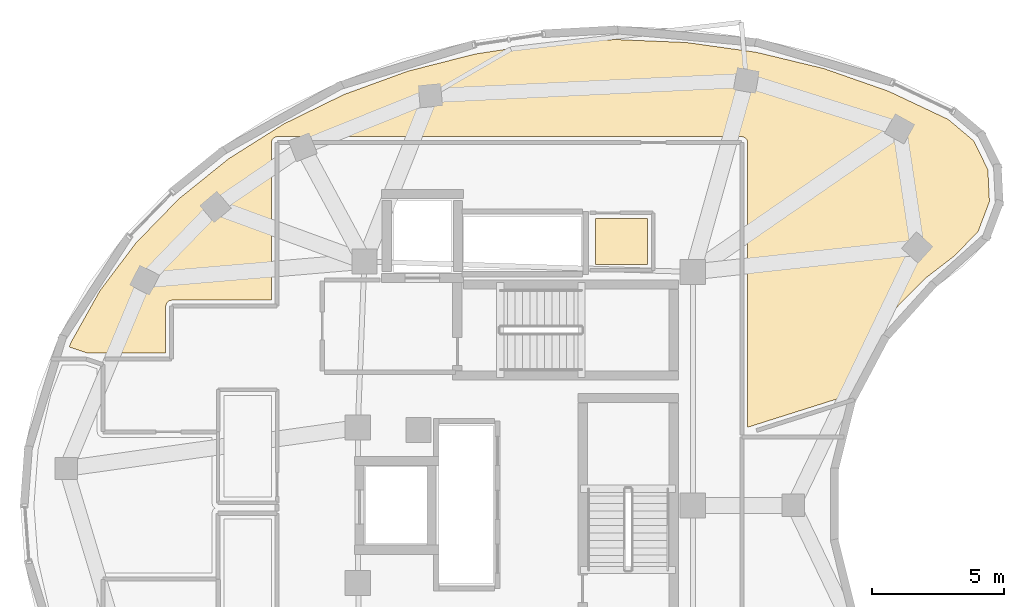
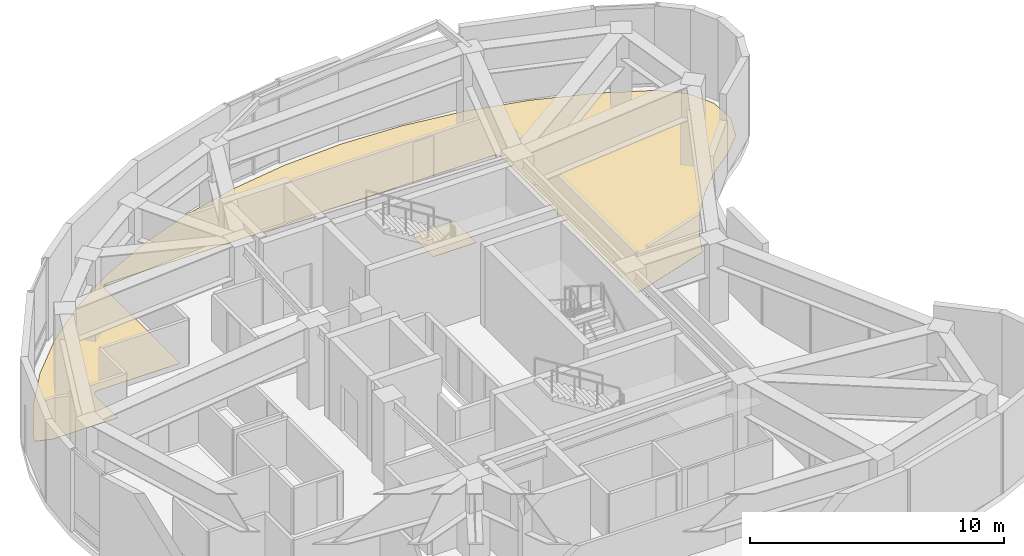
# One storey, part 8 of 8: 2 coverings.
"""IFC4 building model written with IfcOpenShell, lengths in metres."""

from ifc_helpers import new_model, si_unit, direction, frame, origin, place, context, subcontext, project, spatial, polyline, outline, extrude, material, layer, layer_set, type_object, element, save


model = new_model("IFC4")

# Units and contexts
model_context = context("Model", 3, precision=1e-05, world=origin(), true_north=direction((0.0, 1.0)))
body_context = subcontext(model_context, "Body", "Model", "MODEL_VIEW")
ifc_project = project(units=[si_unit("LENGTHUNIT", "METRE"), si_unit("AREAUNIT", "SQUARE_METRE"), si_unit("VOLUMEUNIT", "CUBIC_METRE"), si_unit("PLANEANGLEUNIT", "RADIAN"), si_unit("MASSUNIT", "GRAM", prefix="KILO")], contexts=[model_context])

# Site, building, storey
site_placement = place(None, origin())
site = spatial("IfcSite", under=ifc_project, at=site_placement, CompositionType="ELEMENT")
building_placement = place(site_placement, origin())
building = spatial("IfcBuilding", under=site, at=building_placement, Name="Korentha Bioscience Tower", CompositionType="ELEMENT")
storey_placement = place(building_placement, frame((0.0, 0.0, 301.800048828125)))
storey = spatial("IfcBuildingStorey", under=building, at=storey_placement, Name="L69", CompositionType="ELEMENT", Elevation=301.800048828125)

# Coverings
ifc_material_1 = material(Name="Vitrified Porcelain Tile", Category="ceramic")
ifc_layer_1 = layer(ifc_material_1, 0.014892578125, Name="Vitrified Porcelain Tile")
ifc_layer_set_1 = layer_set([ifc_layer_1], Name="Vitrified Porcelain Tile (FL-CER)")
covering_type_1 = type_object("IfcCoveringType", Name="Anti-Slip Ceramic Wet-Room Tile Flooring 15", PredefinedType="FLOORING", material=ifc_layer_set_1)
covering_1_placement = place(storey_placement, origin())
element("IfcCovering", 1, at=covering_1_placement, inside=storey, type_object=covering_type_1, Name="L69 Accessible Staff WC Floor Finish", PredefinedType="FLOORING", context=body_context, shape_type="SweptSolid", body=[
    extrude(outline(polyline([(33.8701171875, 36.1298828125), (33.8701171875, 37.8701171875), (35.830078125, 37.8701171875), (35.830078125, 36.1298828125), (33.8701171875, 36.1298828125)])), origin(), (0.0, 0.0, 1.0), 0.014892578125),
])
ifc_material_2 = material(Name="Chemical-Resistant Epoxy Resin", Category="polymer")
ifc_layer_2 = layer(ifc_material_2, 0.011962890625, Name="Chemical-Resistant Epoxy Resin")
ifc_layer_set_2 = layer_set([ifc_layer_2], Name="Chemical-Resistant Epoxy Resin (FL-EPX)")
covering_type_2 = type_object("IfcCoveringType", Name="Seamless Epoxy Laboratory Flooring 12", PredefinedType="FLOORING", material=ifc_layer_set_2)
covering_2_placement = place(storey_placement, origin())
element("IfcCovering", 2, at=covering_2_placement, inside=storey, type_object=covering_type_2, Name="L69 Peer-Review Conference Room 05 Floor Finish", PredefinedType="FLOORING", context=body_context, shape_type="SweptSolid", body=[
    extrude(outline(polyline([(13.986572265625, 33.1953125), (15.068359375, 35.127197265625), (16.435302734375, 36.945556640625), (18.069091796875, 38.62353515625), (19.946533203125, 40.135986328125), (22.04150390625, 41.459716796875), (24.323486328125, 42.574951171875), (26.75927734375, 43.464599609375), (29.313232421875, 44.114501953125), (31.947998046875, 44.515380859375), (34.62451171875, 44.660888671875), (37.303955078125, 44.548583984375), (39.9462890625, 44.180419921875), (42.5126953125, 43.56201171875), (44.9658203125, 42.702880859375), (47.234619140625, 41.632568359375), (48.195556640625, 40.8232421875), (48.736083984375, 39.7333984375), (48.796142578125, 38.518310546875), (48.3662109375, 37.380615234375), (47.469482421875, 36.458984375), (46.401123046875, 35.635986328125), (45.39794921875, 34.64599609375), (44.556396484375, 33.587890625), (43.98681640625, 32.664794921875), (43.80224609375, 32.35595703125), (43.2333984375, 31.103515625), (39.6298828125, 29.96240234375), (39.6298828125, 40.75), (39.616455078125, 40.827880859375), (39.57080078125, 40.904052734375), (39.498779296875, 40.957763671875), (39.433349609375, 40.9775390625), (21.800048828125, 40.97998046875), (21.722900390625, 40.966796875), (21.614990234375, 40.88671875), (21.5703125, 40.7607421875), (21.570068359375, 34.780029296875), (17.800048828125, 34.780029296875), (17.701171875, 34.7578125), (17.614990234375, 34.6865234375), (17.5703125, 34.561767578125), (17.570068359375, 32.77197265625), (14.61181640625, 32.77197265625), (13.911865234375, 33.0029296875), (13.986572265625, 33.1953125)])), origin(), (0.0, 0.0, 1.0), 0.011962890625),
])

save(model, "model.ifc")
